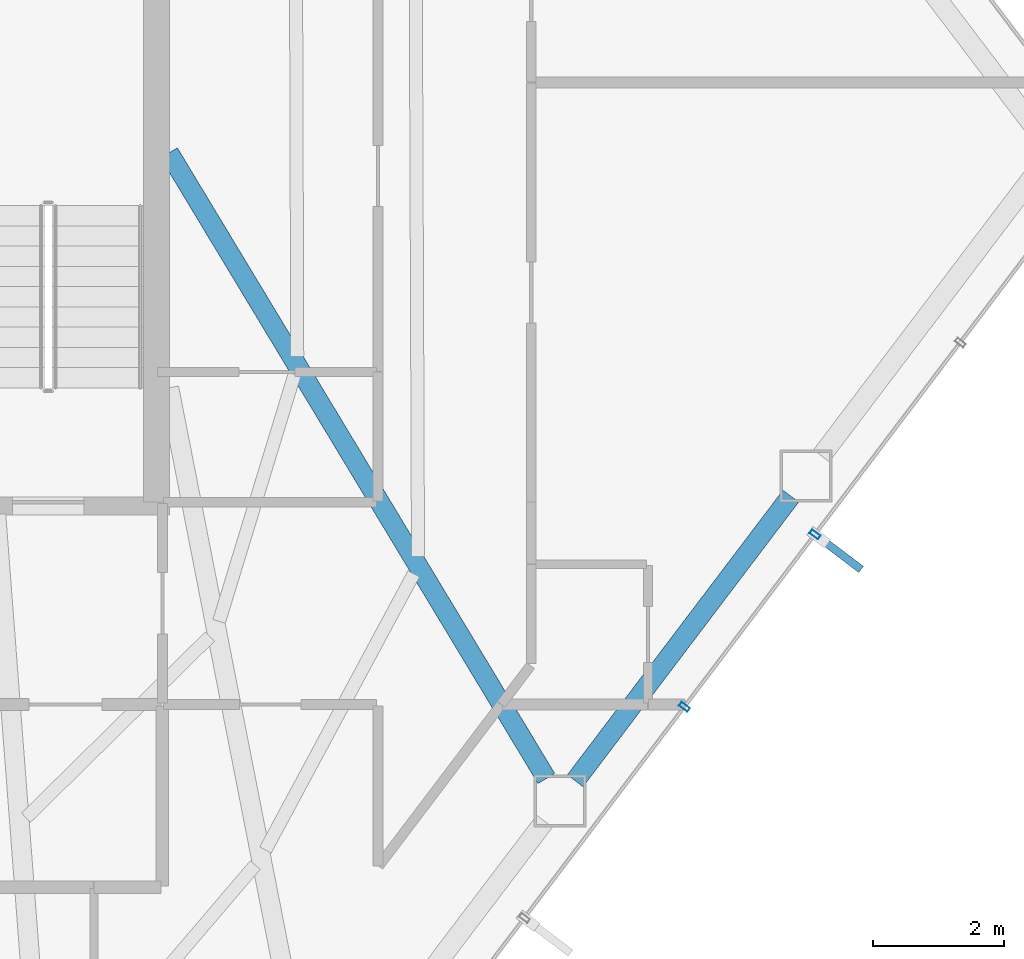
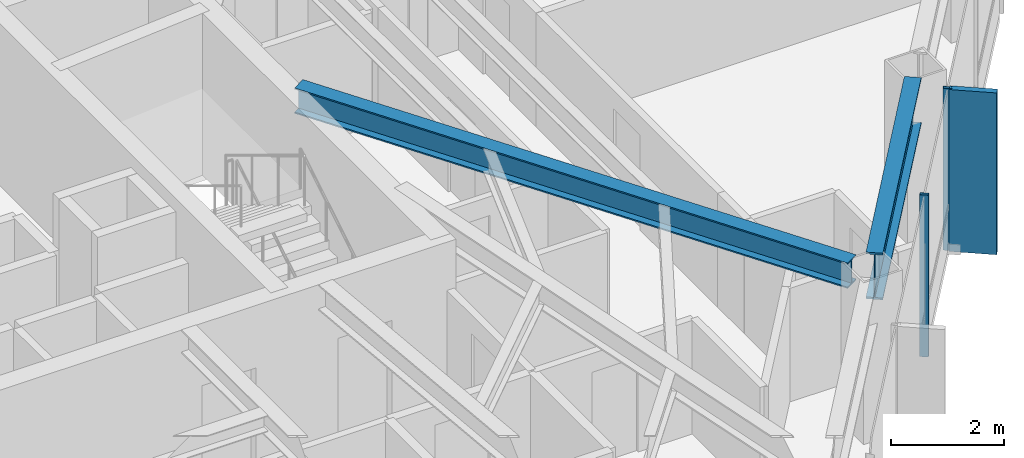
# One storey, part 19 of 28: 3 members, 2 beams, 1 element without a shape of its own.
"""IFC4 building model written with IfcOpenShell, lengths in metres."""

from ifc_helpers import new_model, si_unit, direction, frame, origin, origin_2d, place, context, subcontext, project, spatial, rectangle, hollow_rectangle, i_section, extrude, material, layer, layer_set, material_profile, profile_set, type_object, element, aggregate, save


model = new_model("IFC4")

# Units and contexts
model_context = context("Model", 3, precision=1e-05, world=origin(), true_north=direction((0.0, 1.0)))
body_context = subcontext(model_context, "Body", "Model", "MODEL_VIEW")
ifc_project = project(units=[si_unit("LENGTHUNIT", "METRE"), si_unit("AREAUNIT", "SQUARE_METRE"), si_unit("VOLUMEUNIT", "CUBIC_METRE"), si_unit("PLANEANGLEUNIT", "RADIAN"), si_unit("MASSUNIT", "GRAM", prefix="KILO")], contexts=[model_context])

# Site, building, storey
site_placement = place(None, origin())
site = spatial("IfcSite", under=ifc_project, at=site_placement, CompositionType="ELEMENT")
building_placement = place(site_placement, origin())
building = spatial("IfcBuilding", under=site, at=building_placement, Name="Zarrinselat Tower", CompositionType="ELEMENT")
storey_placement = place(building_placement, frame((0.0, 0.0, 123.419921875)))
storey = spatial("IfcBuildingStorey", under=building, at=storey_placement, Name="L29", CompositionType="ELEMENT", Elevation=123.419921875)

# Beams
ifc_material_1 = material(Name="Steel S355J2", Category="steel")
ifc_material_profile_1 = material_profile(ifc_material_1, i_section(OverallWidth=0.300048828125, OverallDepth=0.550048828125, WebThickness=0.014892578125, FlangeThickness=0.029052734375, at=origin_2d()), Name="HEB 550")
ifc_profile_set_1 = profile_set([ifc_material_profile_1], Name="Steel S355J2")
beam_type_1 = type_object("IfcBeamType", Name="BM-HEB550", PredefinedType="BEAM", material=ifc_profile_set_1)
beam_1_placement = place(storey_placement, frame((48.449951171875, 38.60009765625, 3.22509765625), z_axis=(0.516496217024, -0.856289470798, 0.0), x_axis=(0.856289470798, 0.516496217024, 0.0)))
element("IfcBeam", 1, at=beam_1_placement, inside=storey, type_object=beam_type_1, Name="L29 Radial Primary Girder RG13", PredefinedType="BEAM", context=body_context, shape_type="SweptSolid", body=[
    extrude(i_section(OverallWidth=0.300048828125, OverallDepth=0.550048828125, WebThickness=0.014892578125, FlangeThickness=0.029052734375, at=origin_2d()), origin(), (0.0, 0.0, 1.0), 11.19140625),
])
ifc_material_2 = material(Name="Steel S460M", Category="steel")
ifc_material_profile_2 = material_profile(ifc_material_2, i_section(OverallWidth=0.302001953125, OverallDepth=1.008056640625, WebThickness=0.02099609375, FlangeThickness=0.0400390625, at=origin_2d()), Name="HEM 1000")
ifc_profile_set_2 = profile_set([ifc_material_profile_2], Name="Steel S460M")
beam_type_2 = type_object("IfcBeamType", Name="BM-HEM1000", PredefinedType="BEAM", material=ifc_profile_set_2)
beam_2_placement = place(storey_placement, frame((54.672119140625, 28.982177734375, 2.99609375), z_axis=(0.603856828579, 0.797092799226, 0.0), x_axis=(-0.797092799226, 0.603856828579, 0.0)))
element("IfcBeam", 2, at=beam_2_placement, inside=storey, type_object=beam_type_2, Name="L29 Perimeter Spandrel Girder SP13", PredefinedType="BEAM", context=body_context, shape_type="SweptSolid", body=[
    extrude(i_section(OverallWidth=0.302001953125, OverallDepth=1.008056640625, WebThickness=0.02099609375, FlangeThickness=0.0400390625, at=origin_2d()), origin(), (0.0, 0.0, 1.0), 5.469482421875),
])

# Curtain wall, members
ifc_material_3 = material(Name="Extruded Aluminium Alloy EN AW-6063 T6", Category="aluminium")
ifc_layer = layer(ifc_material_3, 0.175048828125)
ifc_layer_set = layer_set([ifc_layer], Name="Extruded Aluminium Alloy EN AW-6063 T6")
curtain_wall_type = type_object("IfcCurtainWallType", Name="CWS-HTL", PredefinedType="NOTDEFINED", material=ifc_layer_set)
curtain_wall_placement = place(storey_placement, origin())
curtain_wall = element("IfcCurtainWall", 3, at=curtain_wall_placement, inside=storey, type_object=curtain_wall_type, Name="L29 Unitised Curtain Wall CW-L29-E05", PredefinedType="NOTDEFINED")
ifc_material_4 = material(Name="Extruded Aluminium Alloy EN AW-6063 T6", Category="aluminium")
ifc_material_profile_3 = material_profile(ifc_material_4, hollow_rectangle(XDim=0.070068359375, YDim=0.159912109375, WallThickness=0.00390625, at=origin_2d()), Name="RHS 160x70x4")
ifc_profile_set_3 = profile_set([ifc_material_profile_3], Name="Extruded Aluminium Alloy EN AW-6063 T6")
member_type_1 = type_object("IfcMemberType", Name="MEM-CW-MUL2", PredefinedType="MULLION", material=ifc_profile_set_3)
member_1_placement = place(storey_placement, frame((56.3447265625, 30.11376953125, 0.0), z_axis=(0.0, 0.0, 1.0), x_axis=(0.603858135777, 0.797091808926, 0.0)))
member_1 = element("IfcMember", 4, at=member_1_placement, type_object=member_type_1, Name="CW-L29-E05 Mullion 4", PredefinedType="MULLION", context=body_context, shape_type="SweptSolid", body=[
    extrude(hollow_rectangle(XDim=0.070068359375, YDim=0.159912109375, WallThickness=0.00390625, at=origin_2d()), origin(), (0.0, 0.0, 1.0), 3.5),
])
member_2_placement = place(storey_placement, frame((58.34521484375, 32.75439453125, 0.0), z_axis=(0.0, 0.0, 1.0), x_axis=(0.603858135777, 0.797091808926, 0.0)))
member_2 = element("IfcMember", 5, at=member_2_placement, type_object=member_type_1, Name="CW-L29-E05 Mullion 5", PredefinedType="MULLION", context=body_context, shape_type="SweptSolid", body=[
    extrude(hollow_rectangle(XDim=0.070068359375, YDim=0.159912109375, WallThickness=0.00390625, at=origin_2d()), origin(), (0.0, 0.0, 1.0), 3.5),
])
ifc_material_5 = material(Name="Honed Cream Travertine Stone", Category="masonry")
ifc_material_profile_4 = material_profile(ifc_material_5, rectangle(XDim=0.1201171875, YDim=0.85009765625, at=origin_2d()), Name="FIN 850x120")
ifc_profile_set_4 = profile_set([ifc_material_profile_4], Name="Honed Cream Travertine Stone")
member_type_2 = type_object("IfcMemberType", Name="MEM-STONE-FIN", PredefinedType="USERDEFINED", material=ifc_profile_set_4)
member_3_placement = place(storey_placement, frame((58.7119140625, 32.4765625, 0.0), z_axis=(0.0, 0.0, 1.0), x_axis=(-0.603858135777, -0.797091808926, 0.0)))
member_3 = element("IfcMember", 6, at=member_3_placement, type_object=member_type_2, Name="L29 Stone Shading Fin CW-L29-E05-05", ObjectType="FIN", PredefinedType="USERDEFINED", context=body_context, shape_type="SweptSolid", body=[
    extrude(rectangle(XDim=0.1201171875, YDim=0.85009765625, at=origin_2d()), origin(), (0.0, 0.0, 1.0), 3.5),
])
aggregate(curtain_wall, [member_1, member_2, member_3])

save(model, "model.ifc")
